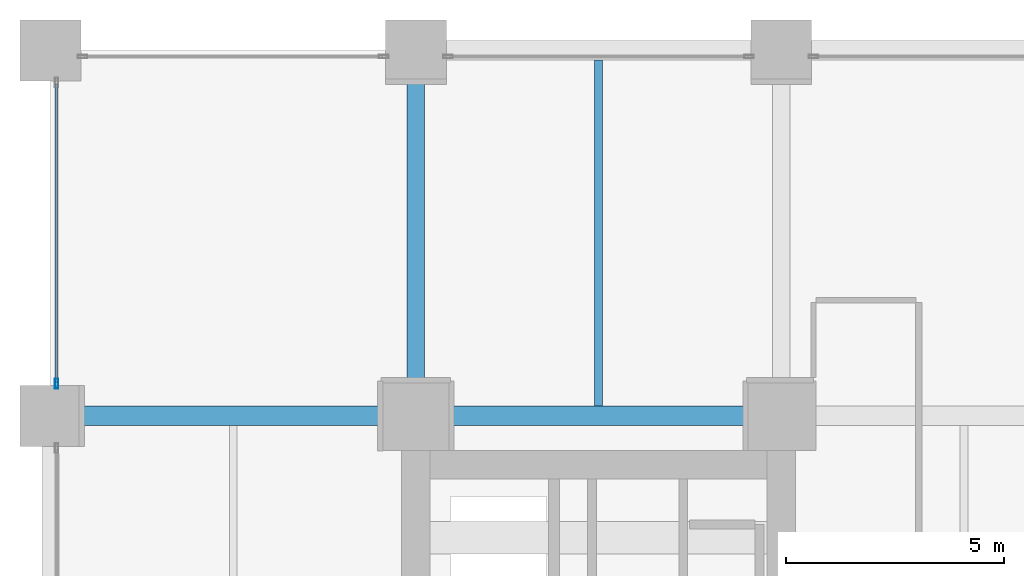
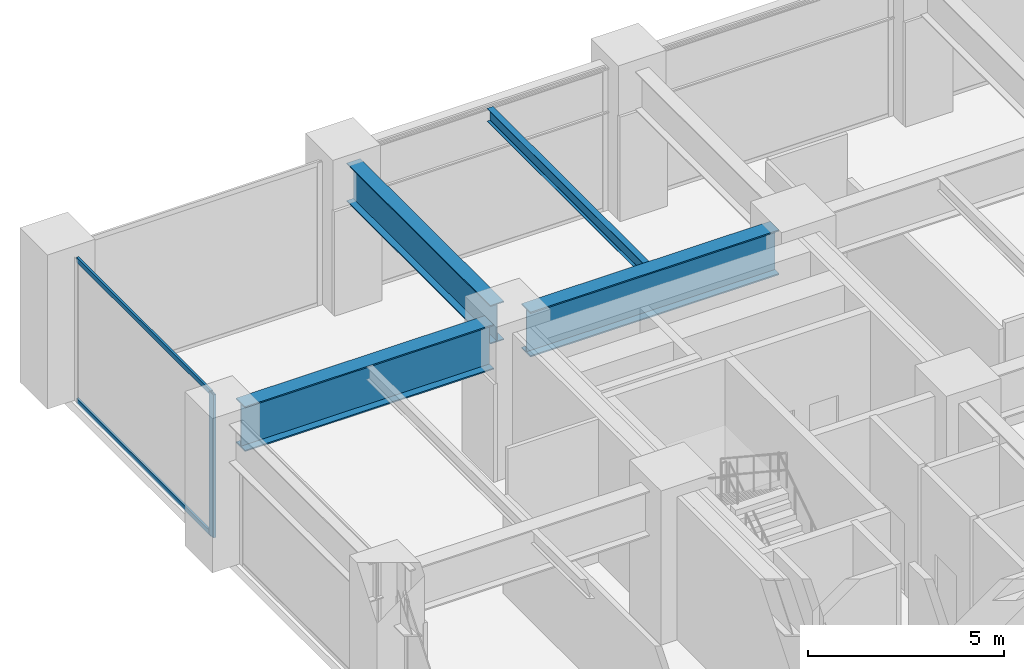
# One storey, part 10 of 24: 4 beams, 3 members, 1 element without a shape of its own.
"""IFC4 building model written with IfcOpenShell, lengths in metres."""

from ifc_helpers import new_model, si_unit, direction, frame, origin, origin_2d, place, context, subcontext, project, spatial, hollow_rectangle, i_section, extrude, material, layer, layer_set, material_profile, profile_set, type_object, element, aggregate, save


model = new_model("IFC4")

# Units and contexts
model_context = context("Model", 3, precision=1e-05, world=origin(), true_north=direction((0.0, 1.0)))
body_context = subcontext(model_context, "Body", "Model", "MODEL_VIEW")
ifc_project = project(units=[si_unit("LENGTHUNIT", "METRE"), si_unit("AREAUNIT", "SQUARE_METRE"), si_unit("VOLUMEUNIT", "CUBIC_METRE"), si_unit("PLANEANGLEUNIT", "RADIAN"), si_unit("MASSUNIT", "GRAM", prefix="KILO")], contexts=[model_context])

# Site, building, storey
site_placement = place(None, origin())
site = spatial("IfcSite", under=ifc_project, at=site_placement, CompositionType="ELEMENT")
building_placement = place(site_placement, origin())
building = spatial("IfcBuilding", under=site, at=building_placement, Name="Nerrivon Quay Data Exchange", CompositionType="ELEMENT")
storey_placement = place(building_placement, frame((0.0, 0.0, 15.0)))
storey = spatial("IfcBuildingStorey", under=building, at=storey_placement, Name="L03", CompositionType="ELEMENT", Elevation=15.0)

# Beams
ifc_material_1 = material(Name="Steel Grade 350", Category="steel")
ifc_material_profile_1 = material_profile(ifc_material_1, i_section(OverallWidth=0.177978515625, OverallDepth=0.406005859375, WebThickness=0.0078125, FlangeThickness=0.0126953125, FilletRadius=0.011474609375, at=origin_2d()), Name="410UB59.7")
ifc_profile_set_1 = profile_set([ifc_material_profile_1], Name="Steel Grade 350")
beam_type_1 = type_object("IfcBeamType", Name="BM-J1-410UB60", PredefinedType="JOIST", material=ifc_profile_set_1)
beam_1_placement = place(storey_placement, frame((12.60009765625, 42.22509765625, 4.2470703125), z_axis=(0.0, 1.0, 0.0), x_axis=(-1.0, 0.0, 0.0)))
element("IfcBeam", 1, at=beam_1_placement, inside=storey, type_object=beam_type_1, Name="L03 Secondary Joist X=12.6 (42.0..50.4)", PredefinedType="JOIST", context=body_context, shape_type="SweptSolid", body=[
    extrude(i_section(OverallWidth=0.177978515625, OverallDepth=0.406005859375, WebThickness=0.0078125, FlangeThickness=0.0126953125, FilletRadius=0.011474609375, at=origin_2d()), origin(), (0.0, 0.0, 1.0), 7.949951171875),
])
ifc_material_profile_2 = material_profile(ifc_material_1, i_section(OverallWidth=0.449951171875, OverallDepth=1.39990234375, WebThickness=0.02001953125, FlangeThickness=0.0400390625, at=origin_2d()), Name="1400WG455")
ifc_profile_set_2 = profile_set([ifc_material_profile_2], Name="Steel Grade 350")
beam_type_2 = type_object("IfcBeamType", Name="BM-TG1-1400WG", PredefinedType="USERDEFINED", material=ifc_profile_set_2)
for number, where, z_axis, x_axis, name in (
    (2, (0.5400390625, 42.0, 3.75), (1.0, 0.0, 0.0), (0.0, 1.0, 0.0), "L03 EW Girder Y=42.0 (0.0..8.4)"),
    (3, (8.93994140625, 42.0, 3.75), (1.0, 0.0, 0.0), (0.0, 1.0, 0.0), "L03 EW Girder Y=42.0 (8.4..16.8)"),
):
    element("IfcBeam", number, at=place(storey_placement, frame(where, z_axis=z_axis, x_axis=x_axis)), inside=storey, type_object=beam_type_2, Name=name, ObjectType="TRANSFER", PredefinedType="USERDEFINED", context=body_context, shape_type="SweptSolid", body=[
        extrude(i_section(OverallWidth=0.449951171875, OverallDepth=1.39990234375, WebThickness=0.02001953125, FlangeThickness=0.0400390625, at=origin_2d()), origin(), (0.0, 0.0, 1.0), 7.320068359375),
    ])
ifc_material_profile_3 = material_profile(ifc_material_1, i_section(OverallWidth=0.39990234375, OverallDepth=1.199951171875, WebThickness=0.01611328125, FlangeThickness=0.031982421875, at=origin_2d()), Name="1200WB342")
ifc_profile_set_3 = profile_set([ifc_material_profile_3], Name="Steel Grade 350")
beam_type_3 = type_object("IfcBeamType", Name="BM-TG2-1200WB", PredefinedType="USERDEFINED", material=ifc_profile_set_3)
beam_2_placement = place(storey_placement, frame((8.39990234375, 42.5400390625, 3.85009765625), z_axis=(0.0, 1.0, 0.0), x_axis=(-1.0, 0.0, 0.0)))
element("IfcBeam", 4, at=beam_2_placement, inside=storey, type_object=beam_type_3, Name="L03 NS Girder X=8.4 (42.0..50.4)", ObjectType="TRANSFER", PredefinedType="USERDEFINED", context=body_context, shape_type="SweptSolid", body=[
    extrude(i_section(OverallWidth=0.39990234375, OverallDepth=1.199951171875, WebThickness=0.01611328125, FlangeThickness=0.031982421875, at=origin_2d()), origin(), (0.0, 0.0, 1.0), 7.320068359375),
])

# Curtain wall, members
ifc_material_2 = material(Name="Anodised aluminium 6063-T6", Category="aluminium")
ifc_layer = layer(ifc_material_2, 0.239990234375)
ifc_layer_set = layer_set([ifc_layer], Name="Anodised aluminium 6063-T6")
curtain_wall_type = type_object("IfcCurtainWallType", Name="CW-SYS-03", PredefinedType="NOTDEFINED", material=ifc_layer_set)
curtain_wall_placement = place(storey_placement, origin())
curtain_wall = element("IfcCurtainWall", 5, at=curtain_wall_placement, inside=storey, type_object=curtain_wall_type, Name="L03 Unitised Curtain Wall 6", PredefinedType="NOTDEFINED")
ifc_material_profile_4 = material_profile(ifc_material_2, hollow_rectangle(XDim=0.074951171875, YDim=0.219970703125, WallThickness=0.00390625, at=origin_2d()), Name="ALU-MULL-220x75")
ifc_profile_set_4 = profile_set([ifc_material_profile_4], Name="Anodised aluminium 6063-T6")
member_type_1 = type_object("IfcMemberType", Name="CWM-220x75", PredefinedType="MULLION", material=ifc_profile_set_4)
member_1_placement = place(storey_placement, frame((0.139892578125, 42.737548828125, 0.0), z_axis=(0.0, 0.0, 1.0), x_axis=(-1.0, 0.0, 0.0)))
member_1 = element("IfcMember", 6, at=member_1_placement, type_object=member_type_1, Name="CW03 mullion 1", PredefinedType="MULLION", context=body_context, shape_type="SweptSolid", body=[
    extrude(hollow_rectangle(XDim=0.074951171875, YDim=0.219970703125, WallThickness=0.00390625, at=origin_2d()), origin(), (0.0, 0.0, 1.0), 4.449951171875),
])
ifc_material_profile_5 = material_profile(ifc_material_2, hollow_rectangle(XDim=0.06494140625, YDim=0.14990234375, WallThickness=0.00341796875, at=origin_2d()), Name="ALU-TRAN-150x65")
ifc_profile_set_5 = profile_set([ifc_material_profile_5], Name="Anodised aluminium 6063-T6")
member_type_2 = type_object("IfcMemberType", Name="CWT-150x65", PredefinedType="USERDEFINED", material=ifc_profile_set_5)
member_2_placement = place(storey_placement, frame((0.139892578125, 42.77490234375, 0.032470703125), z_axis=(0.0, 1.0, 0.0), x_axis=(-1.0, 0.0, 0.0)))
member_2 = element("IfcMember", 7, at=member_2_placement, type_object=member_type_2, Name="CW03 transom 1.1", ObjectType="TRANSOM", PredefinedType="USERDEFINED", context=body_context, shape_type="SweptSolid", body=[
    extrude(hollow_rectangle(XDim=0.06494140625, YDim=0.14990234375, WallThickness=0.00341796875, at=origin_2d()), origin(), (0.0, 0.0, 1.0), 6.85009765625),
])
member_3_placement = place(storey_placement, frame((0.139892578125, 42.77490234375, 4.41748046875), z_axis=(0.0, 1.0, 0.0), x_axis=(-1.0, 0.0, 0.0)))
member_3 = element("IfcMember", 8, at=member_3_placement, type_object=member_type_2, Name="CW03 transom 1.2", ObjectType="TRANSOM", PredefinedType="USERDEFINED", context=body_context, shape_type="SweptSolid", body=[
    extrude(hollow_rectangle(XDim=0.06494140625, YDim=0.14990234375, WallThickness=0.00341796875, at=origin_2d()), origin(), (0.0, 0.0, 1.0), 6.85009765625),
])
aggregate(curtain_wall, [member_1, member_2, member_3])

save(model, "model.ifc")
